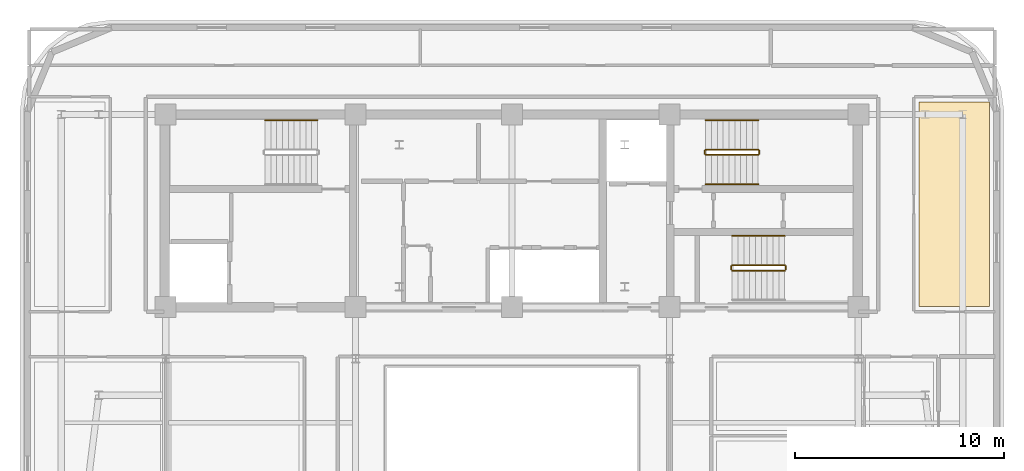
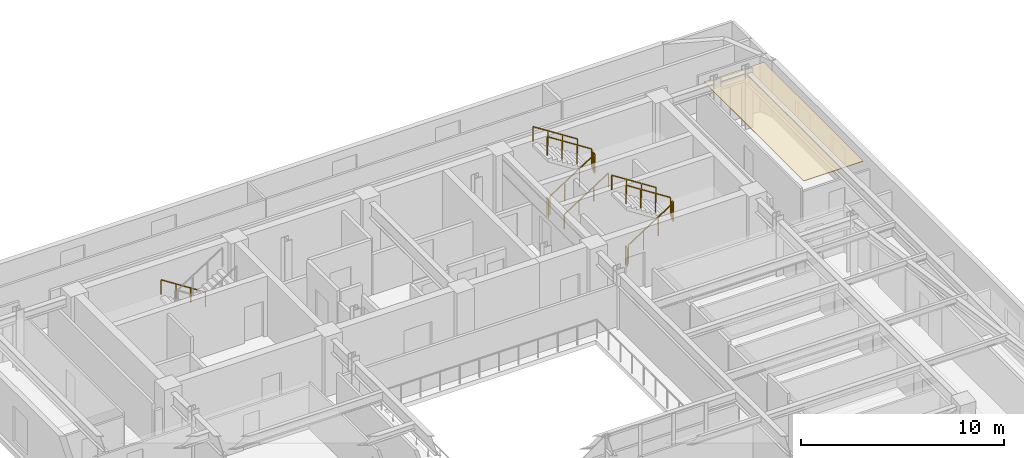
# One storey, part 13 of 13: 12 railings, 1 covering.
"""IFC4 building model written with IfcOpenShell, lengths in metres."""

import ifcopenshell
import ifcopenshell.guid

model = None  # the IFC model being written
_history = None  # IfcOwnerHistory: only IFC2X3 demands one
_inside = {}  # id of a spatial element -> (the spatial element, [elements in it])
_under = {}  # id of a project, library or spatial element -> (it, [spatial elements below it])
_declared = {}  # id of a project -> (the project, [libraries it declares])
_typed = {}  # id of a type object -> (the type object, [elements of that type])
_made_of = {}  # id of a material, layer set ... -> (it, [elements and type objects made of it])


def new_model(schema):
    """Start an empty IFC model of exactly this schema.

    Asked for "IFC4X3", IfcOpenShell would pick the latest addendum, in which some entities
    have other attributes; the version numbers below select the first issue.
    IFC2X3 requires an IfcOwnerHistory on every rooted entity: one is made here for all.
    """
    global model, _history
    if schema == "IFC4X3":
        model = ifcopenshell.file(schema_version=(4, 3, 0, 0))
    else:
        model = ifcopenshell.file(schema=schema)
    _inside.clear()
    _under.clear()
    _declared.clear()
    _typed.clear()
    _made_of.clear()
    _history = None
    if model.schema == "IFC2X3":
        org = make("IfcOrganization", Name="unknown")
        user = make(
            "IfcPersonAndOrganization",
            ThePerson=make("IfcPerson", FamilyName="unknown"),
            TheOrganization=org,
        )
        app = make(
            "IfcApplication",
            ApplicationDeveloper=org,
            Version="unknown",
            ApplicationFullName="unknown",
            ApplicationIdentifier="unknown",
        )
        _history = make(
            "IfcOwnerHistory",
            OwningUser=user,
            OwningApplication=app,
            ChangeAction="ADDED",
            CreationDate=0,
        )
    return model


def make(cls, **values):
    """One entity of the class cls with the attributes given. An attribute that is None is left unset."""
    return model.create_entity(
        cls, **{name: value for name, value in values.items() if value is not None}
    )


def rooted(cls, **values):
    """An entity with a GlobalId (a new one), such as an element, a storey or a relation."""
    return make(cls, GlobalId=ifcopenshell.guid.new(), OwnerHistory=_history, **values)


def si_unit(unit_type, name, prefix=None):
    """IfcSIUnit, for example si_unit("LENGTHUNIT", "METRE", prefix="MILLI")."""
    return make("IfcSIUnit", UnitType=unit_type, Prefix=prefix, Name=name)


def assignment(units):
    """IfcUnitAssignment: the units of a project."""
    return None if units is None else make("IfcUnitAssignment", Units=units)


def point(xyz):
    """IfcCartesianPoint."""
    return None if xyz is None else make("IfcCartesianPoint", Coordinates=xyz)


def direction(xyz):
    """IfcDirection."""
    return None if xyz is None else make("IfcDirection", DirectionRatios=xyz)


def frame(location, z_axis=None, x_axis=None):
    """IfcAxis2Placement3D, a coordinate frame: its origin and axes. An axis left out is left unset."""
    return make(
        "IfcAxis2Placement3D",
        Location=point(location),
        Axis=direction(z_axis),
        RefDirection=direction(x_axis),
    )


def frame_2d(location, x_axis=None):
    """IfcAxis2Placement2D, a coordinate frame in the plane: its origin and x axis."""
    return make(
        "IfcAxis2Placement2D", Location=point(location), RefDirection=direction(x_axis)
    )


def origin():
    """The frame at (0, 0, 0) with its axes left unset."""
    return frame((0.0, 0.0, 0.0))


def origin_2d():
    """The frame at (0, 0) in the plane with its x axis left unset."""
    return frame_2d((0.0, 0.0))


def place(relative_to, where):
    """IfcLocalPlacement: puts the frame where relative to a parent placement (None: the world)."""
    return make(
        "IfcLocalPlacement", PlacementRelTo=relative_to, RelativePlacement=where
    )


def context(
    kind, dimensions, precision=None, world=None, true_north=None, identifier=None
):
    """IfcGeometricRepresentationContext, for example the 3D "Model" context."""
    return make(
        "IfcGeometricRepresentationContext",
        ContextIdentifier=identifier,
        ContextType=kind,
        CoordinateSpaceDimension=dimensions,
        Precision=precision,
        WorldCoordinateSystem=world,
        TrueNorth=true_north,
    )


def subcontext(parent, identifier, kind, view, scale=None):
    """IfcGeometricRepresentationSubContext, for example "Body" below "Model"."""
    return make(
        "IfcGeometricRepresentationSubContext",
        ContextIdentifier=identifier,
        ContextType=kind,
        ParentContext=parent,
        TargetScale=scale,
        TargetView=view,
    )


def project(units=None, contexts=None):
    """IfcProject with its units and contexts."""
    return rooted(
        "IfcProject",
        Name="project",
        RepresentationContexts=contexts,
        UnitsInContext=assignment(units),
    )


def spatial(cls, under=None, at=None, **own):
    """A site, building, storey or space (cls), placed at a placement, below another one or the project."""
    s = rooted(cls, ObjectPlacement=at, **own)
    if under is not None:
        _under.setdefault(under.id(), (under, []))[1].append(s)
    return s


def polyline(points):
    """IfcPolyline through the points."""
    return make("IfcPolyline", Points=[point(p) for p in points])


def profile(cls, at=None, kind="AREA", **sizes):
    """A parametric profile (cls). Its sizes go by their IFC names, for example OverallWidth=200.0."""
    return make(cls, ProfileType=kind, Position=at, **sizes)


def rectangle(**sizes):
    """IfcRectangleProfileDef."""
    return profile("IfcRectangleProfileDef", **sizes)


def outline(outer, holes=None, kind="AREA"):
    """IfcArbitraryClosedProfileDef: a profile drawn as a closed curve; with holes, ...WithVoids."""
    if holes is None:
        return make("IfcArbitraryClosedProfileDef", ProfileType=kind, OuterCurve=outer)
    return make(
        "IfcArbitraryProfileDefWithVoids",
        ProfileType=kind,
        OuterCurve=outer,
        InnerCurves=holes,
    )


def extrude(swept, where, along, depth):
    """IfcExtrudedAreaSolid: the profile swept, set in the frame where, extruded along a direction by depth."""
    return make(
        "IfcExtrudedAreaSolid",
        SweptArea=swept,
        Position=where,
        ExtrudedDirection=direction(along),
        Depth=depth,
    )


def shape(context_of_items, identifier, shape_type, items):
    """IfcShapeRepresentation: the items that make up one representation, for example the "Body"."""
    return make(
        "IfcShapeRepresentation",
        ContextOfItems=context_of_items,
        RepresentationIdentifier=identifier,
        RepresentationType=shape_type,
        Items=items,
    )


def material(Name=None, Category=None):
    """IfcMaterial."""
    return make("IfcMaterial", Name=Name, Category=Category)


def layer(
    of_material, thickness, ventilated=None, Name=None, Category=None, Priority=None
):
    """IfcMaterialLayer: one layer of a wall or slab, of a material (None: an air gap)."""
    return make(
        "IfcMaterialLayer",
        Material=of_material,
        LayerThickness=thickness,
        IsVentilated=ventilated,
        Name=Name,
        Category=Category,
        Priority=Priority,
    )


def layer_set(layers, Name=None):
    """IfcMaterialLayerSet."""
    return make("IfcMaterialLayerSet", MaterialLayers=layers, LayerSetName=Name)


def made_of(thing, what):
    """Note that an element or type object is made of a material, layer set ...; save() writes the relation."""
    if what is not None:
        _made_of.setdefault(what.id(), (what, []))[1].append(thing)
    return thing


def type_object(cls, material=None, **own):
    """A type object (cls), such as IfcWallType, which elements share."""
    return made_of(rooted(cls, **own), material)


def element(
    cls,
    number,
    at=None,
    inside=None,
    cuts=None,
    type_object=None,
    material=None,
    context=None,
    identifier="Body",
    shape_type=None,
    held_by="IfcProductDefinitionShape",
    body=None,
    shapes=None,
    **own,
):
    """One element of the class cls, such as IfcWall. Its Tag is "e" and its number.

    at: its placement. inside: the storey or other place that contains it. cuts: it is an
    opening in that element (IfcRelVoidsElement). A single representation is given by context,
    identifier, shape_type and body (its items); several are given by shapes. held_by: the class
    of the entity that holds the representations. save() writes the other relations.
    """
    e = rooted(cls, Tag="e%d" % number, ObjectPlacement=at, **own)
    if body is not None:
        shapes = [shape(context, identifier, shape_type, body)]
    if shapes is not None:
        e.Representation = make(held_by, Representations=shapes)
    if inside is not None:
        _inside.setdefault(inside.id(), (inside, []))[1].append(e)
    if cuts is not None:
        rooted(
            "IfcRelVoidsElement", RelatingBuildingElement=cuts, RelatedOpeningElement=e
        )
    if type_object is not None:
        _typed.setdefault(type_object.id(), (type_object, []))[1].append(e)
    return made_of(e, material)


def aggregate(whole, parts):
    """IfcRelAggregates: a whole, such as a stair, and the parts it consists of."""
    return rooted("IfcRelAggregates", RelatingObject=whole, RelatedObjects=parts)


def save(model, path):
    """Write the relations noted so far, then the file.

    IfcRelAggregates (storeys below a building ...), IfcRelContainedInSpatialStructure (elements
    in a storey), IfcRelDefinesByType, IfcRelAssociatesMaterial and IfcRelDeclares: one each for
    every whole, place, type object, material and project.
    """
    for whole, parts in _under.values():
        aggregate(whole, parts)
    for where, things in _inside.values():
        rooted(
            "IfcRelContainedInSpatialStructure",
            RelatedElements=things,
            RelatingStructure=where,
        )
    for kind, things in _typed.values():
        rooted("IfcRelDefinesByType", RelatedObjects=things, RelatingType=kind)
    for what, things in _made_of.values():
        rooted("IfcRelAssociatesMaterial", RelatedObjects=things, RelatingMaterial=what)
    for by, libraries in _declared.values():
        rooted("IfcRelDeclares", RelatingContext=by, RelatedDefinitions=libraries)
    model.write(path)


model = new_model("IFC4")

# Units and contexts
model_context = context("Model", 3, precision=1e-05, world=origin(), true_north=direction((0.0, 1.0)))
body_context = subcontext(model_context, "Body", "Model", "MODEL_VIEW")
ifc_project = project(units=[si_unit("LENGTHUNIT", "METRE"), si_unit("AREAUNIT", "SQUARE_METRE"), si_unit("VOLUMEUNIT", "CUBIC_METRE"), si_unit("PLANEANGLEUNIT", "RADIAN"), si_unit("MASSUNIT", "GRAM", prefix="KILO")], contexts=[model_context])

# Site, building, storey
site_placement = place(None, origin())
site = spatial("IfcSite", under=ifc_project, at=site_placement, CompositionType="ELEMENT")
building_placement = place(site_placement, origin())
building = spatial("IfcBuilding", under=site, at=building_placement, Name="Zarnavel Station Tower", CompositionType="ELEMENT")
storey_placement = place(building_placement, frame((0.0, 0.0, 207.60009765625)))
storey = spatial("IfcBuildingStorey", under=building, at=storey_placement, Name="L56", CompositionType="ELEMENT", Elevation=207.60009765625)

# Covering
ifc_material_1 = material(Name="Perforated Gypsum and Mineral-Wool Acoustic Ceiling", Category="concrete")
ifc_layer = layer(ifc_material_1, 0.0400390625)
ifc_layer_set = layer_set([ifc_layer], Name="COV_CEIL_ACOUSTIC")
covering_type = type_object("IfcCoveringType", Name="COV_CEIL_ACOUSTIC", PredefinedType="CEILING", material=ifc_layer_set)
covering_placement = place(storey_placement, frame((0.0, 0.0, 3.02001953125)))
element("IfcCovering", 1, at=covering_placement, inside=storey, type_object=covering_type, Name="L56 FNE Acoustic Ceiling", PredefinedType="CEILING", context=body_context, shape_type="SweptSolid", body=[
    extrude(outline(polyline([(48.300048828125, 27.85009765625), (51.68994140625, 27.85009765625), (51.68994140625, 37.64990234375), (48.300048828125, 37.64990234375), (48.300048828125, 27.85009765625)])), origin(), (0.0, 0.0, 1.0), 0.039794921875),
])

# Railings
ifc_material_2 = material(Name="Painted Steel S355J2 Balustrade", Category="steel")
railing_type_1 = type_object("IfcRailingType", Name="GR_INT_1150", PredefinedType="GUARDRAIL", material=ifc_material_2)
railing_1_placement = place(storey_placement, frame((38.080078125, 35.110107421875, 0.179931640625)))
element("IfcRailing", 2, at=railing_1_placement, inside=storey, type_object=railing_type_1, Name="L56 ST2 stair guard 1", PredefinedType="GUARDRAIL", context=body_context, shape_type="SweptSolid", body=[
    extrude(rectangle(XDim=0.048095703125, YDim=0.048095703125, at=origin_2d()), frame((0.001708984375, 0.0, 1.126953125), z_axis=(0.841199657755, 0.0, 0.540724639528), x_axis=(0.0, 1.0, 0.0)), (0.0, 0.0, 1.0), 2.99169921875),
    extrude(rectangle(XDim=0.0419921875, YDim=0.0419921875, at=origin_2d()), origin(), (0.0, 0.0, 1.0), 1.101806640625),
    extrude(rectangle(XDim=0.0419921875, YDim=0.0419921875, at=origin_2d()), frame((0.840087890625, 0.0, 0.5400390625)), (0.0, 0.0, 1.0), 1.101806640625),
    extrude(rectangle(XDim=0.0419921875, YDim=0.0419921875, at=origin_2d()), frame((1.679931640625, 0.0, 1.079833984375)), (0.0, 0.0, 1.0), 1.101806640625),
    extrude(rectangle(XDim=0.0419921875, YDim=0.0419921875, at=origin_2d()), frame((2.52001953125, 0.0, 1.619873046875)), (0.0, 0.0, 1.0), 1.101806640625),
])
railing_2_placement = place(storey_placement, frame((40.64990234375, 35.159912109375, 1.7998046875)))
element("IfcRailing", 3, at=railing_2_placement, inside=storey, type_object=railing_type_1, Name="L56 ST2 stair guard 2", PredefinedType="GUARDRAIL", context=body_context, shape_type="SweptSolid", body=[
    extrude(rectangle(XDim=0.048095703125, YDim=0.048095703125, at=origin_2d()), frame((0.0, 0.001953125, 1.1259765625), z_axis=(0.0, 1.0, 0.0), x_axis=(-1.0, 0.0, 0.0)), (0.0, 0.0, 1.0), 0.15625),
    extrude(rectangle(XDim=0.0419921875, YDim=0.0419921875, at=origin_2d()), origin(), (0.0, 0.0, 1.0), 1.101806640625),
    extrude(rectangle(XDim=0.0419921875, YDim=0.0419921875, at=origin_2d()), frame((0.0, 0.16015625, 0.0)), (0.0, 0.0, 1.0), 1.101806640625),
])
railing_3_placement = place(storey_placement, frame((40.60009765625, 35.3701171875, 1.97998046875)))
element("IfcRailing", 4, at=railing_3_placement, inside=storey, type_object=railing_type_1, Name="L56 ST2 stair guard 3", PredefinedType="GUARDRAIL", context=body_context, shape_type="SweptSolid", body=[
    extrude(rectangle(XDim=0.048095703125, YDim=0.048095703125, at=origin_2d()), frame((-0.001708984375, 0.0, 1.126953125), z_axis=(-0.841199657755, 0.0, 0.540724639528), x_axis=(0.0, -1.0, 0.0)), (0.0, 0.0, 1.0), 2.99169921875),
    extrude(rectangle(XDim=0.0419921875, YDim=0.0419921875, at=origin_2d()), origin(), (0.0, 0.0, 1.0), 1.101806640625),
    extrude(rectangle(XDim=0.0419921875, YDim=0.0419921875, at=origin_2d()), frame((-0.840087890625, 0.0, 0.5400390625)), (0.0, 0.0, 1.0), 1.101806640625),
    extrude(rectangle(XDim=0.0419921875, YDim=0.0419921875, at=origin_2d()), frame((-1.679931640625, 0.0, 1.079833984375)), (0.0, 0.0, 1.0), 1.101806640625),
    extrude(rectangle(XDim=0.0419921875, YDim=0.0419921875, at=origin_2d()), frame((-2.52001953125, 0.0, 1.619873046875)), (0.0, 0.0, 1.0), 1.101806640625),
])
railing_4_placement = place(storey_placement, frame((38.030029296875, 35.159912109375, 0.0)))
element("IfcRailing", 5, at=railing_4_placement, inside=storey, type_object=railing_type_1, Name="L56 ST2 stair guard 4", PredefinedType="GUARDRAIL", context=body_context, shape_type="SweptSolid", body=[
    extrude(rectangle(XDim=0.048095703125, YDim=0.048095703125, at=origin_2d()), frame((0.0, 0.001953125, 1.1259765625), z_axis=(0.0, 1.0, 0.0), x_axis=(-1.0, 0.0, 0.0)), (0.0, 0.0, 1.0), 0.15625),
    extrude(rectangle(XDim=0.0419921875, YDim=0.0419921875, at=origin_2d()), origin(), (0.0, 0.0, 1.0), 1.101806640625),
    extrude(rectangle(XDim=0.0419921875, YDim=0.0419921875, at=origin_2d()), frame((0.0, 0.16015625, 0.0)), (0.0, 0.0, 1.0), 1.101806640625),
])
railing_5_placement = place(storey_placement, frame((39.35009765625, 29.570068359375, 0.179931640625)))
element("IfcRailing", 6, at=railing_5_placement, inside=storey, type_object=railing_type_1, Name="L56 ST3 stair guard 1", PredefinedType="GUARDRAIL", context=body_context, shape_type="SweptSolid", body=[
    extrude(rectangle(XDim=0.048095703125, YDim=0.048095703125, at=origin_2d()), frame((0.001708984375, 0.0, 1.126953125), z_axis=(0.841199657755, 0.0, 0.540724639528), x_axis=(0.0, 1.0, 0.0)), (0.0, 0.0, 1.0), 2.99169921875),
    extrude(rectangle(XDim=0.0419921875, YDim=0.0419921875, at=origin_2d()), origin(), (0.0, 0.0, 1.0), 1.101806640625),
    extrude(rectangle(XDim=0.0419921875, YDim=0.0419921875, at=origin_2d()), frame((0.840087890625, 0.0, 0.5400390625)), (0.0, 0.0, 1.0), 1.101806640625),
    extrude(rectangle(XDim=0.0419921875, YDim=0.0419921875, at=origin_2d()), frame((1.679931640625, 0.0, 1.079833984375)), (0.0, 0.0, 1.0), 1.101806640625),
    extrude(rectangle(XDim=0.0419921875, YDim=0.0419921875, at=origin_2d()), frame((2.52001953125, 0.0, 1.619873046875)), (0.0, 0.0, 1.0), 1.101806640625),
])
railing_6_placement = place(storey_placement, frame((41.919921875, 29.6201171875, 1.7998046875)))
element("IfcRailing", 7, at=railing_6_placement, inside=storey, type_object=railing_type_1, Name="L56 ST3 stair guard 2", PredefinedType="GUARDRAIL", context=body_context, shape_type="SweptSolid", body=[
    extrude(rectangle(XDim=0.048095703125, YDim=0.048095703125, at=origin_2d()), frame((0.0, 0.001953125, 1.1259765625), z_axis=(0.0, 1.0, 0.0), x_axis=(-1.0, 0.0, 0.0)), (0.0, 0.0, 1.0), 0.156005859375),
    extrude(rectangle(XDim=0.0419921875, YDim=0.0419921875, at=origin_2d()), origin(), (0.0, 0.0, 1.0), 1.101806640625),
    extrude(rectangle(XDim=0.0419921875, YDim=0.0419921875, at=origin_2d()), frame((0.0, 0.159912109375, 0.0)), (0.0, 0.0, 1.0), 1.101806640625),
])
railing_7_placement = place(storey_placement, frame((41.8701171875, 29.830078125, 1.97998046875)))
element("IfcRailing", 8, at=railing_7_placement, inside=storey, type_object=railing_type_1, Name="L56 ST3 stair guard 3", PredefinedType="GUARDRAIL", context=body_context, shape_type="SweptSolid", body=[
    extrude(rectangle(XDim=0.048095703125, YDim=0.048095703125, at=origin_2d()), frame((-0.001708984375, 0.0, 1.126953125), z_axis=(-0.841199657755, 0.0, 0.540724639528), x_axis=(0.0, -1.0, 0.0)), (0.0, 0.0, 1.0), 2.99169921875),
    extrude(rectangle(XDim=0.0419921875, YDim=0.0419921875, at=origin_2d()), origin(), (0.0, 0.0, 1.0), 1.101806640625),
    extrude(rectangle(XDim=0.0419921875, YDim=0.0419921875, at=origin_2d()), frame((-0.840087890625, 0.0, 0.5400390625)), (0.0, 0.0, 1.0), 1.101806640625),
    extrude(rectangle(XDim=0.0419921875, YDim=0.0419921875, at=origin_2d()), frame((-1.679931640625, 0.0, 1.079833984375)), (0.0, 0.0, 1.0), 1.101806640625),
    extrude(rectangle(XDim=0.0419921875, YDim=0.0419921875, at=origin_2d()), frame((-2.52001953125, 0.0, 1.619873046875)), (0.0, 0.0, 1.0), 1.101806640625),
])
railing_8_placement = place(storey_placement, frame((39.300048828125, 29.6201171875, 0.0)))
element("IfcRailing", 9, at=railing_8_placement, inside=storey, type_object=railing_type_1, Name="L56 ST3 stair guard 4", PredefinedType="GUARDRAIL", context=body_context, shape_type="SweptSolid", body=[
    extrude(rectangle(XDim=0.048095703125, YDim=0.048095703125, at=origin_2d()), frame((0.0, 0.001953125, 1.1259765625), z_axis=(0.0, 1.0, 0.0), x_axis=(-1.0, 0.0, 0.0)), (0.0, 0.0, 1.0), 0.156005859375),
    extrude(rectangle(XDim=0.0419921875, YDim=0.0419921875, at=origin_2d()), origin(), (0.0, 0.0, 1.0), 1.101806640625),
    extrude(rectangle(XDim=0.0419921875, YDim=0.0419921875, at=origin_2d()), frame((0.0, 0.159912109375, 0.0)), (0.0, 0.0, 1.0), 1.101806640625),
])
ifc_material_3 = material(Name="Brushed Stainless Steel S355J2 Handrail", Category="steel")
railing_type_2 = type_object("IfcRailingType", Name="HR_STAIR_900", PredefinedType="HANDRAIL", material=ifc_material_3)
railing_9_placement = place(storey_placement, frame((19.47998046875, 36.77001953125, 0.179931640625)))
element("IfcRailing", 10, at=railing_9_placement, inside=storey, type_object=railing_type_2, Name="L56 ST1 stair handrail 1", PredefinedType="HANDRAIL", context=body_context, shape_type="SweptSolid", body=[
    extrude(rectangle(XDim=0.048095703125, YDim=0.048095703125, at=origin_2d()), frame((-0.001708984375, 0.0, 0.876953125), z_axis=(-0.841199657755, 0.0, 0.540724639528), x_axis=(0.0, -1.0, 0.0)), (0.0, 0.0, 1.0), 2.99169921875),
    extrude(rectangle(XDim=0.0419921875, YDim=0.0419921875, at=origin_2d()), origin(), (0.0, 0.0, 1.0), 0.851806640625),
    extrude(rectangle(XDim=0.0419921875, YDim=0.0419921875, at=origin_2d()), frame((-0.840087890625, 0.0, 0.5400390625)), (0.0, 0.0, 1.0), 0.851806640625),
    extrude(rectangle(XDim=0.0419921875, YDim=0.0419921875, at=origin_2d()), frame((-1.679931640625, 0.0, 1.079833984375)), (0.0, 0.0, 1.0), 0.851806640625),
    extrude(rectangle(XDim=0.0419921875, YDim=0.0419921875, at=origin_2d()), frame((-2.52001953125, 0.0, 1.619873046875)), (0.0, 0.0, 1.0), 0.851806640625),
])
railing_10_placement = place(storey_placement, frame((38.080078125, 33.7099609375, 0.179931640625)))
element("IfcRailing", 11, at=railing_10_placement, inside=storey, type_object=railing_type_2, Name="L56 ST2 stair handrail 1", PredefinedType="HANDRAIL", context=body_context, shape_type="SweptSolid", body=[
    extrude(rectangle(XDim=0.048095703125, YDim=0.048095703125, at=origin_2d()), frame((0.001708984375, 0.0, 0.876953125), z_axis=(0.841199657755, 0.0, 0.540724639528), x_axis=(0.0, 1.0, 0.0)), (0.0, 0.0, 1.0), 2.99169921875),
    extrude(rectangle(XDim=0.0419921875, YDim=0.0419921875, at=origin_2d()), origin(), (0.0, 0.0, 1.0), 0.851806640625),
    extrude(rectangle(XDim=0.0419921875, YDim=0.0419921875, at=origin_2d()), frame((0.840087890625, 0.0, 0.5400390625)), (0.0, 0.0, 1.0), 0.851806640625),
    extrude(rectangle(XDim=0.0419921875, YDim=0.0419921875, at=origin_2d()), frame((1.679931640625, 0.0, 1.079833984375)), (0.0, 0.0, 1.0), 0.851806640625),
    extrude(rectangle(XDim=0.0419921875, YDim=0.0419921875, at=origin_2d()), frame((2.52001953125, 0.0, 1.619873046875)), (0.0, 0.0, 1.0), 0.851806640625),
])
for number, where, name in (
    (12, (40.60009765625, 36.77001953125, 1.97998046875), "L56 ST2 stair handrail 2"),
    (13, (41.8701171875, 31.22998046875, 1.97998046875), "L56 ST3 stair handrail 2"),
):
    element("IfcRailing", number, at=place(storey_placement, frame(where)), inside=storey, type_object=railing_type_2, Name=name, PredefinedType="HANDRAIL", context=body_context, shape_type="SweptSolid", body=[
        extrude(rectangle(XDim=0.048095703125, YDim=0.048095703125, at=origin_2d()), frame((-0.001708984375, 0.0, 0.876953125), z_axis=(-0.841199657755, 0.0, 0.540724639528), x_axis=(0.0, -1.0, 0.0)), (0.0, 0.0, 1.0), 2.99169921875),
        extrude(rectangle(XDim=0.0419921875, YDim=0.0419921875, at=origin_2d()), origin(), (0.0, 0.0, 1.0), 0.851806640625),
        extrude(rectangle(XDim=0.0419921875, YDim=0.0419921875, at=origin_2d()), frame((-0.840087890625, 0.0, 0.5400390625)), (0.0, 0.0, 1.0), 0.851806640625),
        extrude(rectangle(XDim=0.0419921875, YDim=0.0419921875, at=origin_2d()), frame((-1.679931640625, 0.0, 1.079833984375)), (0.0, 0.0, 1.0), 0.851806640625),
        extrude(rectangle(XDim=0.0419921875, YDim=0.0419921875, at=origin_2d()), frame((-2.52001953125, 0.0, 1.619873046875)), (0.0, 0.0, 1.0), 0.851806640625),
    ])

save(model, "model.ifc")
